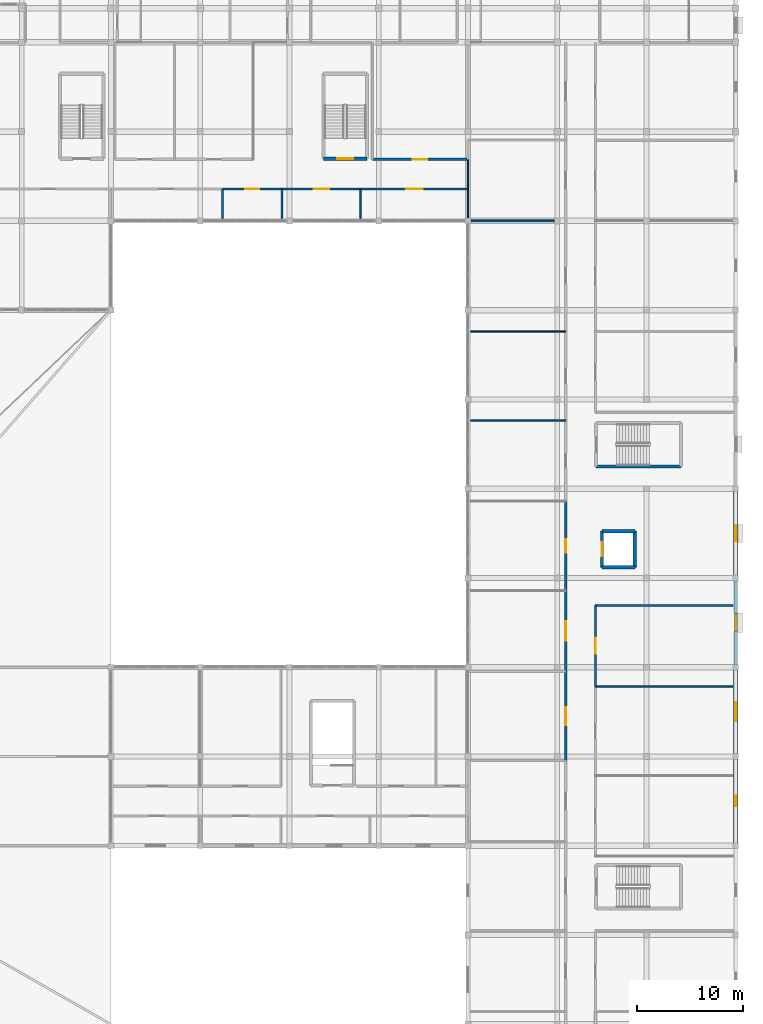
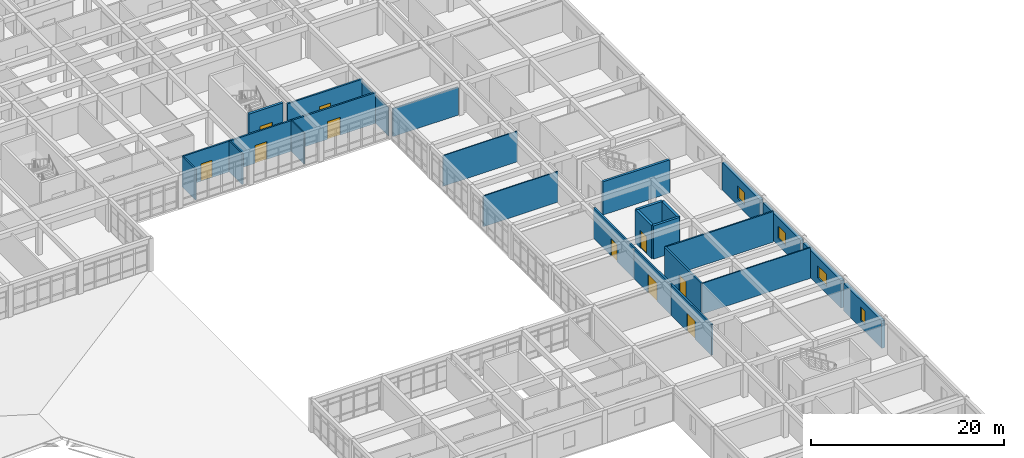
# One storey, part 56 of 77: 28 walls, 10 doors, 4 windows, 14 openings.
"""IFC4 building model written with IfcOpenShell, lengths in metres."""

from ifc_helpers import new_model, si_unit, direction, frame, frame_2d, origin, place, context, subcontext, project, spatial, rectangle, extrude, material, layer, layer_set, type_object, element, fill, save


model = new_model("IFC4")

# Units and contexts
model_context = context("Model", 3, precision=1e-05, world=origin(), true_north=direction((0.0, 1.0)))
body_context = subcontext(model_context, "Body", "Model", "MODEL_VIEW")
ifc_project = project(units=[si_unit("LENGTHUNIT", "METRE"), si_unit("AREAUNIT", "SQUARE_METRE"), si_unit("VOLUMEUNIT", "CUBIC_METRE"), si_unit("PLANEANGLEUNIT", "RADIAN"), si_unit("MASSUNIT", "GRAM", prefix="KILO")], contexts=[model_context])

# Site, building, storey
site_placement = place(None, origin())
site = spatial("IfcSite", under=ifc_project, at=site_placement, CompositionType="ELEMENT")
building_placement = place(site_placement, origin())
building = spatial("IfcBuilding", under=site, at=building_placement, Name="Varncliffe General Hospital", CompositionType="ELEMENT")
storey_placement = place(building_placement, frame((0.0, 0.0, 16.199951171875)))
storey = spatial("IfcBuildingStorey", under=building, at=storey_placement, Name="L03", CompositionType="ELEMENT", Elevation=16.199951171875)

# Wall, opening, window
ifc_material_1 = material(Name="Precast concrete C40/50 with insulated cream lime-cement stucco", Category="concrete")
ifc_layer_1 = layer(ifc_material_1, 0.3798828125)
ifc_layer_set_1 = layer_set([ifc_layer_1], Name="Precast concrete C40/50 with insulated cream lime-cement stucco")
wall_type_1 = type_object("IfcWallType", Name="Exterior Insulated Stucco Wall EW26 (380mm)", PredefinedType="SOLIDWALL", material=ifc_layer_set_1)
wall_1_placement = place(storey_placement, frame((176.39990234375, 57.326904296875, 0.0), z_axis=(0.0, 0.0, 1.0), x_axis=(0.0, -1.0, 0.0)))
wall_1 = element("IfcWall", 1, at=wall_1_placement, inside=storey, type_object=wall_type_1, Name="L03 Exterior Stucco Wall EW26-268", PredefinedType="SOLIDWALL", context=body_context, shape_type="SweptSolid", body=[
    extrude(rectangle(XDim=7.85400390625, YDim=0.3798828125, at=frame_2d((3.927001953125, 0.0))), origin(), (0.0, 0.0, 1.0), 3.47998046875),
])
opening_1_placement = place(wall_1_placement, frame((3.177001953125, 0.0, 0.89990234375)))
opening_1 = element("IfcOpeningElement", 2, at=opening_1_placement, cuts=wall_1, Name="Opening WN75", PredefinedType="OPENING", context=body_context, shape_type="SweptSolid", body=[
    extrude(rectangle(XDim=1.5, YDim=1.550048828125, at=frame_2d((0.75, 0.77490234375))), frame((0.0, 0.199951171875, 0.0), z_axis=(0.0, -1.0, 0.0), x_axis=(1.0, 0.0, 0.0)), (0.0, 0.0, 1.0), 0.39990234375),
])
ifc_material_2 = material(Name="Triple low-E argon insulated vision glazing", Category="glass")
window_type_1 = type_object("IfcWindowType", Name="Triple-Glazed Hospital Window WN75 (1500x1550)", PartitioningType="SINGLE_PANEL", PredefinedType="WINDOW", material=ifc_material_2)
window_1_placement = place(opening_1_placement, origin())
window_1 = element("IfcWindow", 3, at=window_1_placement, inside=storey, type_object=window_type_1, Name="L03 Hospital Window WN75-188", OverallHeight=1.550048828125, OverallWidth=1.5, PartitioningType="SINGLE_PANEL", PredefinedType="WINDOW", context=body_context, shape_type="SweptSolid", body=[
    extrude(rectangle(XDim=1.5, YDim=1.550048828125, at=frame_2d((0.75, 0.77490234375))), frame((0.0, 0.030029296875, 0.0), z_axis=(0.0, -1.0, 0.0), x_axis=(1.0, 0.0, 0.0)), (0.0, 0.0, 1.0), 0.06005859375),
])
fill(opening_1, window_1)

wall_2_placement = place(storey_placement, frame((176.39990234375, 32.126953125, 0.0), z_axis=(0.0, 0.0, 1.0), x_axis=(0.0, -1.0, 0.0)))
wall_2 = element("IfcWall", 4, at=wall_2_placement, inside=storey, type_object=wall_type_1, Name="L03 Exterior Stucco Wall EW26-271", PredefinedType="SOLIDWALL", context=body_context, shape_type="SweptSolid", body=[
    extrude(rectangle(XDim=7.85400390625, YDim=0.3798828125, at=frame_2d((3.927001953125, 0.0))), origin(), (0.0, 0.0, 1.0), 3.47998046875),
])
opening_2_placement = place(wall_2_placement, frame((3.427001953125, 0.0, 0.89990234375)))
opening_2 = element("IfcOpeningElement", 5, at=opening_2_placement, cuts=wall_2, Name="Opening WN53", PredefinedType="OPENING", context=body_context, shape_type="SweptSolid", body=[
    extrude(rectangle(XDim=1.0, YDim=1.75, at=frame_2d((0.5, 0.875))), frame((0.0, 0.199951171875, 0.0), z_axis=(0.0, -1.0, 0.0), x_axis=(1.0, 0.0, 0.0)), (0.0, 0.0, 1.0), 0.39990234375),
])
window_type_2 = type_object("IfcWindowType", Name="Triple-Glazed Hospital Window WN53 (1000x1750)", PartitioningType="SINGLE_PANEL", PredefinedType="WINDOW", material=ifc_material_2)
window_2_placement = place(opening_2_placement, origin())
window_2 = element("IfcWindow", 6, at=window_2_placement, inside=storey, type_object=window_type_2, Name="L03 Hospital Window WN53-191", OverallHeight=1.75, OverallWidth=1.0, PartitioningType="SINGLE_PANEL", PredefinedType="WINDOW", context=body_context, shape_type="SweptSolid", body=[
    extrude(rectangle(XDim=1.0, YDim=1.75, at=frame_2d((0.5, 0.875))), frame((0.0, 0.030029296875, 0.0), z_axis=(0.0, -1.0, 0.0), x_axis=(1.0, 0.0, 0.0)), (0.0, 0.0, 1.0), 0.06005859375),
])
fill(opening_2, window_2)

ifc_layer_2 = layer(ifc_material_1, 0.35009765625)
ifc_layer_set_2 = layer_set([ifc_layer_2], Name="Precast concrete C40/50 with insulated cream lime-cement stucco")
wall_type_2 = type_object("IfcWallType", Name="Exterior Insulated Stucco Wall EW37 (350mm)", PredefinedType="SOLIDWALL", material=ifc_layer_set_2)
wall_3_placement = place(storey_placement, frame((176.39990234375, 48.927001953125, 0.0), z_axis=(0.0, 0.0, 1.0), x_axis=(0.0, -1.0, 0.0)))
wall_3 = element("IfcWall", 7, at=wall_3_placement, inside=storey, type_object=wall_type_2, Name="L03 Exterior Stucco Wall EW37-269", PredefinedType="SOLIDWALL", context=body_context, shape_type="SweptSolid", body=[
    extrude(rectangle(XDim=7.85400390625, YDim=0.35009765625, at=frame_2d((3.927001953125, 0.0))), origin(), (0.0, 0.0, 1.0), 3.47998046875),
])
opening_3_placement = place(wall_3_placement, frame((3.10205078125, 0.0, 0.89990234375)))
opening_3 = element("IfcOpeningElement", 8, at=opening_3_placement, cuts=wall_3, Name="Opening WN20", PredefinedType="OPENING", context=body_context, shape_type="SweptSolid", body=[
    extrude(rectangle(XDim=1.64990234375, YDim=1.550048828125, at=frame_2d((0.824951171875, 0.77490234375))), frame((0.0, 0.18505859375, 0.0), z_axis=(0.0, -1.0, 0.0), x_axis=(1.0, 0.0, 0.0)), (0.0, 0.0, 1.0), 0.3701171875),
])
window_type_3 = type_object("IfcWindowType", Name="Triple-Glazed Hospital Window WN20 (1650x1550)", PartitioningType="DOUBLE_PANEL_VERTICAL", PredefinedType="WINDOW", material=ifc_material_2)
window_3_placement = place(opening_3_placement, origin())
window_3 = element("IfcWindow", 9, at=window_3_placement, inside=storey, type_object=window_type_3, Name="L03 Hospital Window WN20-189", OverallHeight=1.550048828125, OverallWidth=1.64990234375, PartitioningType="DOUBLE_PANEL_VERTICAL", PredefinedType="WINDOW", context=body_context, shape_type="SweptSolid", body=[
    extrude(rectangle(XDim=1.64990234375, YDim=1.550048828125, at=frame_2d((0.824951171875, 0.77490234375))), frame((0.0, 0.030029296875, 0.0), z_axis=(0.0, -1.0, 0.0), x_axis=(1.0, 0.0, 0.0)), (0.0, 0.0, 1.0), 0.06005859375),
])
fill(opening_3, window_3)

ifc_layer_3 = layer(ifc_material_1, 0.39990234375)
ifc_layer_set_3 = layer_set([ifc_layer_3], Name="Precast concrete C40/50 with insulated cream lime-cement stucco")
wall_type_3 = type_object("IfcWallType", Name="Exterior Insulated Stucco Wall EW47 (400mm)", PredefinedType="SOLIDWALL", material=ifc_layer_set_3)
wall_4_placement = place(storey_placement, frame((176.39990234375, 40.527099609375, 0.0), z_axis=(0.0, 0.0, 1.0), x_axis=(0.0, -1.0, 0.0)))
wall_4 = element("IfcWall", 10, at=wall_4_placement, inside=storey, type_object=wall_type_3, Name="L03 Exterior Stucco Wall EW47-270", PredefinedType="SOLIDWALL", context=body_context, shape_type="SweptSolid", body=[
    extrude(rectangle(XDim=7.85400390625, YDim=0.39990234375, at=frame_2d((3.927001953125, 0.0))), origin(), (0.0, 0.0, 1.0), 3.47998046875),
])
opening_4_placement = place(wall_4_placement, frame((3.027099609375, 0.0, 0.89990234375)))
opening_4 = element("IfcOpeningElement", 11, at=opening_4_placement, cuts=wall_4, Name="Opening WN52", PredefinedType="OPENING", context=body_context, shape_type="SweptSolid", body=[
    extrude(rectangle(XDim=1.800048828125, YDim=1.550048828125, at=frame_2d((0.89990234375, 0.77490234375))), frame((0.0, 0.2099609375, 0.0), z_axis=(0.0, -1.0, 0.0), x_axis=(1.0, 0.0, 0.0)), (0.0, 0.0, 1.0), 0.419921875),
])
window_type_4 = type_object("IfcWindowType", Name="Triple-Glazed Hospital Window WN52 (1800x1550)", PartitioningType="DOUBLE_PANEL_VERTICAL", PredefinedType="WINDOW", material=ifc_material_2)
window_4_placement = place(opening_4_placement, origin())
window_4 = element("IfcWindow", 12, at=window_4_placement, inside=storey, type_object=window_type_4, Name="L03 Hospital Window WN52-190", OverallHeight=1.550048828125, OverallWidth=1.800048828125, PartitioningType="DOUBLE_PANEL_VERTICAL", PredefinedType="WINDOW", context=body_context, shape_type="SweptSolid", body=[
    extrude(rectangle(XDim=1.800048828125, YDim=1.550048828125, at=frame_2d((0.89990234375, 0.77490234375))), frame((0.0, 0.030029296875, 0.0), z_axis=(0.0, -1.0, 0.0), x_axis=(1.0, 0.0, 0.0)), (0.0, 0.0, 1.0), 0.06005859375),
])
fill(opening_4, window_4)

# Walls
ifc_material_3 = material(Name="Acoustic clinical gypsum stud partition assembly", Category="gypsum")
ifc_layer_4 = layer(ifc_material_3, 0.1298828125)
ifc_layer_set_4 = layer_set([ifc_layer_4], Name="Acoustic clinical gypsum stud partition assembly")
wall_type_4 = type_object("IfcWallType", Name="Interior Partitioning IW11 (130mm)", PredefinedType="PARTITIONING", material=ifc_layer_set_4)
wall_5_placement = place(storey_placement, frame((163.199951171875, 39.0, 0.0), z_axis=(0.0, 0.0, 1.0), x_axis=(1.0, 0.0, 0.0)))
element("IfcWall", 13, at=wall_5_placement, inside=storey, type_object=wall_type_4, Name="L03 Interior Partition Wall IW11-1338", PredefinedType="PARTITIONING", context=body_context, shape_type="SweptSolid", body=[
    extrude(rectangle(XDim=12.93994140625, YDim=0.1298828125, at=frame_2d((6.469970703125, 0.0))), origin(), (0.0, 0.0, 1.0), 3.89013671875),
])
wall_6_placement = place(storey_placement, frame((151.4599609375, 64.0, 0.0), z_axis=(0.0, 0.0, 1.0), x_axis=(1.0, 0.0, 0.0)))
element("IfcWall", 14, at=wall_6_placement, inside=storey, type_object=wall_type_4, Name="L03 Interior Partition Wall IW11-1348", PredefinedType="PARTITIONING", context=body_context, shape_type="SweptSolid", body=[
    extrude(rectangle(XDim=8.93994140625, YDim=0.1298828125, at=frame_2d((4.469970703125, 0.0))), origin(), (0.0, 0.0, 1.0), 3.89013671875),
])
wall_7_placement = place(storey_placement, frame((141.10009765625, 83.06005859375, 0.0), z_axis=(0.0, 0.0, 1.0), x_axis=(0.0, 1.0, 0.0)))
element("IfcWall", 15, at=wall_7_placement, inside=storey, type_object=wall_type_4, Name="L03 Interior Partition Wall IW11-1623", PredefinedType="PARTITIONING", context=body_context, shape_type="SweptSolid", body=[
    extrude(rectangle(XDim=2.739990234375, YDim=0.1298828125, at=frame_2d((1.3701171875, 0.0))), origin(), (0.0, 0.0, 1.0), 3.89013671875),
])
wall_8_placement = place(storey_placement, frame((151.199951171875, 85.800048828125, 0.0), z_axis=(0.0, 0.0, 1.0), x_axis=(0.0, 1.0, 0.0)))
element("IfcWall", 16, at=wall_8_placement, inside=storey, type_object=wall_type_4, Name="L03 Interior Partition Wall IW11-1638", PredefinedType="PARTITIONING", context=body_context, shape_type="SweptSolid", body=[
    extrude(rectangle(XDim=2.800048828125, YDim=0.1298828125, at=frame_2d((1.39990234375, 0.0))), origin(), (0.0, 0.0, 1.0), 3.5849609375),
])
ifc_layer_5 = layer(ifc_material_3, 0.169921875)
ifc_layer_set_5 = layer_set([ifc_layer_5], Name="Acoustic clinical gypsum stud partition assembly")
wall_type_5 = type_object("IfcWallType", Name="Interior Partitioning IW20 (170mm)", PredefinedType="PARTITIONING", material=ifc_layer_set_5)
wall_9_placement = place(storey_placement, frame((163.199951171875, 46.60009765625, 0.0), z_axis=(0.0, 0.0, 1.0), x_axis=(1.0, 0.0, 0.0)))
element("IfcWall", 17, at=wall_9_placement, inside=storey, type_object=wall_type_5, Name="L03 Interior Partition Wall IW20-1340", PredefinedType="PARTITIONING", context=body_context, shape_type="SweptSolid", body=[
    extrude(rectangle(XDim=12.93994140625, YDim=0.169921875, at=frame_2d((6.469970703125, 0.0))), origin(), (0.0, 0.0, 1.0), 3.89013671875),
])
wall_10_placement = place(storey_placement, frame((151.489990234375, 82.800048828125, 0.0), z_axis=(0.0, 0.0, 1.0), x_axis=(1.0, 0.0, 0.0)))
element("IfcWall", 18, at=wall_10_placement, inside=storey, type_object=wall_type_5, Name="L03 Interior Partition Wall IW20-1360", PredefinedType="PARTITIONING", context=body_context, shape_type="SweptSolid", body=[
    extrude(rectangle(XDim=7.820068359375, YDim=0.169921875, at=frame_2d((3.91015625, 0.0))), origin(), (0.0, 0.0, 1.0), 3.53515625),
])
wall_11_placement = place(storey_placement, frame((133.699951171875, 83.06005859375, 0.0), z_axis=(0.0, 0.0, 1.0), x_axis=(0.0, 1.0, 0.0)))
element("IfcWall", 19, at=wall_11_placement, inside=storey, type_object=wall_type_5, Name="L03 Interior Partition Wall IW20-1615", PredefinedType="PARTITIONING", context=body_context, shape_type="SweptSolid", body=[
    extrude(rectangle(XDim=2.739990234375, YDim=0.169921875, at=frame_2d((1.3701171875, 0.0))), origin(), (0.0, 0.0, 1.0), 3.89013671875),
])
ifc_layer_6 = layer(ifc_material_3, 0.14990234375)
ifc_layer_set_6 = layer_set([ifc_layer_6], Name="Acoustic clinical gypsum stud partition assembly")
wall_type_6 = type_object("IfcWallType", Name="Interior Partitioning IW35 (150mm)", PredefinedType="PARTITIONING", material=ifc_layer_set_6)
wall_12_placement = place(storey_placement, frame((128.10009765625, 83.06005859375, 0.0), z_axis=(0.0, 0.0, 1.0), x_axis=(0.0, 1.0, 0.0)))
element("IfcWall", 20, at=wall_12_placement, inside=storey, type_object=wall_type_6, Name="L03 Interior Partition Wall IW35-1609", PredefinedType="PARTITIONING", context=body_context, shape_type="SweptSolid", body=[
    extrude(rectangle(XDim=2.739990234375, YDim=0.14990234375, at=frame_2d((1.3701171875, 0.0))), origin(), (0.0, 0.0, 1.0), 3.89013671875),
])
ifc_layer_7 = layer(ifc_material_3, 0.110107421875)
ifc_layer_set_7 = layer_set([ifc_layer_7], Name="Acoustic clinical gypsum stud partition assembly")
wall_type_7 = type_object("IfcWallType", Name="Interior Partitioning IW65 (110mm)", PredefinedType="PARTITIONING", material=ifc_layer_set_7)
wall_13_placement = place(storey_placement, frame((151.4599609375, 72.39990234375, 0.0), z_axis=(0.0, 0.0, 1.0), x_axis=(1.0, 0.0, 0.0)))
element("IfcWall", 21, at=wall_13_placement, inside=storey, type_object=wall_type_7, Name="L03 Interior Partition Wall IW65-1352", PredefinedType="PARTITIONING", context=body_context, shape_type="SweptSolid", body=[
    extrude(rectangle(XDim=8.93994140625, YDim=0.110107421875, at=frame_2d((4.469970703125, 0.0))), origin(), (0.0, 0.0, 1.0), 3.89013671875),
])
wall_14_placement = place(storey_placement, frame((151.199951171875, 83.090087890625, 0.0), z_axis=(0.0, 0.0, 1.0), x_axis=(0.0, 1.0, 0.0)))
element("IfcWall", 22, at=wall_14_placement, inside=storey, type_object=wall_type_7, Name="L03 Interior Partition Wall IW65-1637", PredefinedType="PARTITIONING", context=body_context, shape_type="SweptSolid", body=[
    extrude(rectangle(XDim=2.7099609375, YDim=0.110107421875, at=frame_2d((1.35498046875, 0.0))), origin(), (0.0, 0.0, 1.0), 3.5849609375),
])

# Wall, opening, door
ifc_material_4 = material(Name="Fire-rated gypsum and mineral-wool partition assembly", Category="gypsum")
ifc_layer_8 = layer(ifc_material_4, 0.199951171875)
ifc_layer_set_8 = layer_set([ifc_layer_8], Name="Fire-rated gypsum and mineral-wool partition assembly")
wall_type_8 = type_object("IfcWallType", Name="Interior Partitioning PW63 (200mm)", PredefinedType="PARTITIONING", material=ifc_layer_set_8)
wall_15_placement = place(storey_placement, frame((128.10009765625, 85.800048828125, 0.0), z_axis=(0.0, 0.0, 1.0), x_axis=(1.0, 0.0, 0.0)))
wall_15 = element("IfcWall", 23, at=wall_15_placement, inside=storey, type_object=wall_type_8, Name="L03 Interior Partition Wall PW63-1376", PredefinedType="PARTITIONING", context=body_context, shape_type="SweptSolid", body=[
    extrude(rectangle(XDim=5.599853515625, YDim=0.199951171875, at=frame_2d((2.7998046875, 0.0))), origin(), (0.0, 0.0, 1.0), 3.89013671875),
])
opening_5_placement = place(wall_15_placement, frame((2.125, 0.0, 0.0)))
opening_5 = element("IfcOpeningElement", 24, at=opening_5_placement, cuts=wall_15, Name="Opening DC85", PredefinedType="OPENING", context=body_context, shape_type="SweptSolid", body=[
    extrude(rectangle(XDim=1.35009765625, YDim=2.199951171875, at=frame_2d((0.675048828125, 1.10009765625))), frame((0.0, 0.10986328125, 0.0), z_axis=(0.0, -1.0, 0.0), x_axis=(1.0, 0.0, 0.0)), (0.0, 0.0, 1.0), 0.219970703125),
])
ifc_material_5 = material(Name="Fire-rated hospital steel-frame vision-panel door", Category="steel")
door_type_1 = type_object("IfcDoorType", Name="Interior Hospital Door DC85 (1350x2200)", OperationType="NOTDEFINED", PredefinedType="DOOR", material=ifc_material_5)
door_1_placement = place(opening_5_placement, frame((1.35009765625, 0.0, 0.0), z_axis=(0.0, 0.0, 1.0), x_axis=(-1.0, 0.0, 0.0)))
door_1 = element("IfcDoor", 25, at=door_1_placement, inside=storey, type_object=door_type_1, Name="L03 Surgical Scrub and Sterile Core Room 65 Door", OperationType="SINGLE_SWING_RIGHT", OverallHeight=2.199951171875, OverallWidth=1.35009765625, PredefinedType="DOOR", context=body_context, shape_type="SweptSolid", body=[
    extrude(rectangle(XDim=1.35009765625, YDim=2.199951171875, at=frame_2d((0.675048828125, 1.10009765625))), frame((0.0, 0.02490234375, 0.0), z_axis=(0.0, -1.0, 0.0), x_axis=(1.0, 0.0, 0.0)), (0.0, 0.0, 1.0), 0.050048828125),
])
fill(opening_5, door_1)

wall_16_placement = place(storey_placement, frame((133.699951171875, 85.800048828125, 0.0), z_axis=(0.0, 0.0, 1.0), x_axis=(1.0, 0.0, 0.0)))
wall_16 = element("IfcWall", 26, at=wall_16_placement, inside=storey, type_object=wall_type_8, Name="L03 Interior Partition Wall PW63-1377", PredefinedType="PARTITIONING", context=body_context, shape_type="SweptSolid", body=[
    extrude(rectangle(XDim=7.400146484375, YDim=0.199951171875, at=frame_2d((3.7001953125, 0.0))), origin(), (0.0, 0.0, 1.0), 3.89013671875),
])
opening_6_placement = place(wall_16_placement, frame((2.97509765625, 0.0, 0.0)))
opening_6 = element("IfcOpeningElement", 27, at=opening_6_placement, cuts=wall_16, Name="Opening DC66", PredefinedType="OPENING", context=body_context, shape_type="SweptSolid", body=[
    extrude(rectangle(XDim=1.449951171875, YDim=2.25, at=frame_2d((0.72509765625, 1.125))), frame((0.0, 0.10986328125, 0.0), z_axis=(0.0, -1.0, 0.0), x_axis=(1.0, 0.0, 0.0)), (0.0, 0.0, 1.0), 0.219970703125),
])
door_type_2 = type_object("IfcDoorType", Name="Interior Hospital Door DC66 (1450x2250)", OperationType="NOTDEFINED", PredefinedType="DOOR", material=ifc_material_5)
door_2_placement = place(opening_6_placement, frame((1.449951171875, 0.0, 0.0), z_axis=(0.0, 0.0, 1.0), x_axis=(-1.0, 0.0, 0.0)))
door_2 = element("IfcDoor", 28, at=door_2_placement, inside=storey, type_object=door_type_2, Name="L03 Endoscopy Procedure Suite 66 Door", OperationType="SINGLE_SWING_LEFT", OverallHeight=2.25, OverallWidth=1.449951171875, PredefinedType="DOOR", context=body_context, shape_type="SweptSolid", body=[
    extrude(rectangle(XDim=1.449951171875, YDim=2.25, at=frame_2d((0.72509765625, 1.125))), frame((0.0, 0.02490234375, 0.0), z_axis=(0.0, -1.0, 0.0), x_axis=(1.0, 0.0, 0.0)), (0.0, 0.0, 1.0), 0.050048828125),
])
fill(opening_6, door_2)

wall_17_placement = place(storey_placement, frame((141.10009765625, 85.800048828125, 0.0), z_axis=(0.0, 0.0, 1.0), x_axis=(1.0, 0.0, 0.0)))
wall_17 = element("IfcWall", 29, at=wall_17_placement, inside=storey, type_object=wall_type_8, Name="L03 Interior Partition Wall PW63-1378", PredefinedType="PARTITIONING", context=body_context, shape_type="SweptSolid", body=[
    extrude(rectangle(XDim=10.099853515625, YDim=0.199951171875, at=frame_2d((5.0498046875, 0.0))), origin(), (0.0, 0.0, 1.0), 3.89013671875),
])
opening_7_placement = place(wall_17_placement, frame((4.27490234375, 0.0, 0.0)))
opening_7 = element("IfcOpeningElement", 30, at=opening_7_placement, cuts=wall_17, Name="Opening DC67", PredefinedType="OPENING", context=body_context, shape_type="SweptSolid", body=[
    extrude(rectangle(XDim=1.550048828125, YDim=2.25, at=frame_2d((0.77490234375, 1.125))), frame((0.0, 0.10986328125, 0.0), z_axis=(0.0, -1.0, 0.0), x_axis=(1.0, 0.0, 0.0)), (0.0, 0.0, 1.0), 0.219970703125),
])
door_type_3 = type_object("IfcDoorType", Name="Interior Hospital Door DC67 (1550x2250)", OperationType="NOTDEFINED", PredefinedType="DOOR", material=ifc_material_5)
door_3_placement = place(opening_7_placement, frame((1.550048828125, 0.0, 0.0), z_axis=(0.0, 0.0, 1.0), x_axis=(-1.0, 0.0, 0.0)))
door_3 = element("IfcDoor", 31, at=door_3_placement, inside=storey, type_object=door_type_3, Name="L03 Hybrid Interventional Operating Theatre 67 Door", OperationType="SINGLE_SWING_RIGHT", OverallHeight=2.25, OverallWidth=1.550048828125, PredefinedType="DOOR", context=body_context, shape_type="SweptSolid", body=[
    extrude(rectangle(XDim=1.550048828125, YDim=2.25, at=frame_2d((0.77490234375, 1.125))), frame((0.0, 0.02490234375, 0.0), z_axis=(0.0, -1.0, 0.0), x_axis=(1.0, 0.0, 0.0)), (0.0, 0.0, 1.0), 0.050048828125),
])
fill(opening_7, door_3)

wall_18_placement = place(storey_placement, frame((142.199951171875, 88.60009765625, 0.0), z_axis=(0.0, 0.0, 1.0), x_axis=(1.0, 0.0, 0.0)))
wall_18 = element("IfcWall", 32, at=wall_18_placement, inside=storey, type_object=wall_type_8, Name="L03 Interior Partition Wall PW63-1392", PredefinedType="PARTITIONING", context=body_context, shape_type="SweptSolid", body=[
    extrude(rectangle(XDim=9.0, YDim=0.199951171875, at=frame_2d((4.5, 0.0))), origin(), (0.0, 0.0, 1.0), 3.89013671875),
])
opening_8_placement = place(wall_18_placement, frame((3.824951171875, 0.0, 0.0)))
opening_8 = element("IfcOpeningElement", 33, at=opening_8_placement, cuts=wall_18, Name="Opening DC85", PredefinedType="OPENING", context=body_context, shape_type="SweptSolid", body=[
    extrude(rectangle(XDim=1.35009765625, YDim=2.199951171875, at=frame_2d((0.675048828125, 1.10009765625))), frame((0.0, 0.10986328125, 0.0), z_axis=(0.0, -1.0, 0.0), x_axis=(1.0, 0.0, 0.0)), (0.0, 0.0, 1.0), 0.219970703125),
])
door_4_placement = place(opening_8_placement, origin())
door_4 = element("IfcDoor", 34, at=door_4_placement, inside=storey, type_object=door_type_1, Name="L03 Endoscopy Procedure Suite 74 Door", OperationType="SINGLE_SWING_RIGHT", OverallHeight=2.199951171875, OverallWidth=1.35009765625, PredefinedType="DOOR", context=body_context, shape_type="SweptSolid", body=[
    extrude(rectangle(XDim=1.35009765625, YDim=2.199951171875, at=frame_2d((0.675048828125, 1.10009765625))), frame((0.0, 0.02490234375, 0.0), z_axis=(0.0, -1.0, 0.0), x_axis=(1.0, 0.0, 0.0)), (0.0, 0.0, 1.0), 0.050048828125),
])
fill(opening_8, door_4)

wall_19_placement = place(storey_placement, frame((160.39990234375, 32.0, 0.0), z_axis=(0.0, 0.0, 1.0), x_axis=(0.0, 1.0, 0.0)))
wall_19 = element("IfcWall", 35, at=wall_19_placement, inside=storey, type_object=wall_type_8, Name="L03 Interior Partition Wall PW63-1652", PredefinedType="PARTITIONING", context=body_context, shape_type="SweptSolid", body=[
    extrude(rectangle(XDim=8.39990234375, YDim=0.199951171875, at=frame_2d((4.199951171875, 0.0))), origin(), (0.0, 0.0, 1.0), 3.89013671875),
])
opening_9_placement = place(wall_19_placement, frame((3.35009765625, 0.0, 0.0)))
opening_9 = element("IfcOpeningElement", 36, at=opening_9_placement, cuts=wall_19, Name="Opening DC50", PredefinedType="OPENING", context=body_context, shape_type="SweptSolid", body=[
    extrude(rectangle(XDim=1.699951171875, YDim=2.300048828125, at=frame_2d((0.85009765625, 1.14990234375))), frame((0.0, 0.10986328125, 0.0), z_axis=(0.0, -1.0, 0.0), x_axis=(1.0, 0.0, 0.0)), (0.0, 0.0, 1.0), 0.219970703125),
])
door_type_4 = type_object("IfcDoorType", Name="Interior Hospital Door DC50 (1700x2300)", OperationType="NOTDEFINED", PredefinedType="DOOR", material=ifc_material_5)
door_5_placement = place(opening_9_placement, origin())
door_5 = element("IfcDoor", 37, at=door_5_placement, inside=storey, type_object=door_type_4, Name="L03 Oncology Chemotherapy Infusion Suite 79 Door", OperationType="SINGLE_SWING_LEFT", OverallHeight=2.300048828125, OverallWidth=1.699951171875, PredefinedType="DOOR", context=body_context, shape_type="SweptSolid", body=[
    extrude(rectangle(XDim=1.699951171875, YDim=2.300048828125, at=frame_2d((0.85009765625, 1.14990234375))), frame((0.0, 0.02490234375, 0.0), z_axis=(0.0, -1.0, 0.0), x_axis=(1.0, 0.0, 0.0)), (0.0, 0.0, 1.0), 0.050048828125),
])
fill(opening_9, door_5)

wall_20_placement = place(storey_placement, frame((160.39990234375, 40.39990234375, 0.0), z_axis=(0.0, 0.0, 1.0), x_axis=(0.0, 1.0, 0.0)))
wall_20 = element("IfcWall", 38, at=wall_20_placement, inside=storey, type_object=wall_type_8, Name="L03 Interior Partition Wall PW63-1653", PredefinedType="PARTITIONING", context=body_context, shape_type="SweptSolid", body=[
    extrude(rectangle(XDim=7.60009765625, YDim=0.199951171875, at=frame_2d((3.800048828125, 0.0))), origin(), (0.0, 0.0, 1.0), 3.89013671875),
])
opening_10_placement = place(wall_20_placement, frame((2.875, 0.0, 0.0)))
opening_10 = element("IfcOpeningElement", 39, at=opening_10_placement, cuts=wall_20, Name="Opening DC38", PredefinedType="OPENING", context=body_context, shape_type="SweptSolid", body=[
    extrude(rectangle(XDim=1.85009765625, YDim=2.300048828125, at=frame_2d((0.925048828125, 1.14990234375))), frame((0.0, 0.10986328125, 0.0), z_axis=(0.0, -1.0, 0.0), x_axis=(1.0, 0.0, 0.0)), (0.0, 0.0, 1.0), 0.219970703125),
])
door_type_5 = type_object("IfcDoorType", Name="Interior Hospital Door DC38 (1850x2300)", OperationType="NOTDEFINED", PredefinedType="DOOR", material=ifc_material_5)
door_6_placement = place(opening_10_placement, origin())
door_6 = element("IfcDoor", 40, at=door_6_placement, inside=storey, type_object=door_type_5, Name="L03 Renal Dialysis Treatment Bay 80 Door", OperationType="SINGLE_SWING_RIGHT", OverallHeight=2.300048828125, OverallWidth=1.85009765625, PredefinedType="DOOR", context=body_context, shape_type="SweptSolid", body=[
    extrude(rectangle(XDim=1.85009765625, YDim=2.300048828125, at=frame_2d((0.925048828125, 1.14990234375))), frame((0.0, 0.02490234375, 0.0), z_axis=(0.0, -1.0, 0.0), x_axis=(1.0, 0.0, 0.0)), (0.0, 0.0, 1.0), 0.050048828125),
])
fill(opening_10, door_6)

wall_21_placement = place(storey_placement, frame((160.39990234375, 48.0, 0.0), z_axis=(0.0, 0.0, 1.0), x_axis=(0.0, 1.0, 0.0)))
wall_21 = element("IfcWall", 41, at=wall_21_placement, inside=storey, type_object=wall_type_8, Name="L03 Interior Partition Wall PW63-1654", PredefinedType="PARTITIONING", context=body_context, shape_type="SweptSolid", body=[
    extrude(rectangle(XDim=8.39990234375, YDim=0.199951171875, at=frame_2d((4.199951171875, 0.0))), origin(), (0.0, 0.0, 1.0), 3.89013671875),
])
opening_11_placement = place(wall_21_placement, frame((3.574951171875, 0.0, 0.0)))
opening_11 = element("IfcOpeningElement", 42, at=opening_11_placement, cuts=wall_21, Name="Opening DC44", PredefinedType="OPENING", context=body_context, shape_type="SweptSolid", body=[
    extrude(rectangle(XDim=1.25, YDim=2.14990234375, at=frame_2d((0.625, 1.074951171875))), frame((0.0, 0.10986328125, 0.0), z_axis=(0.0, -1.0, 0.0), x_axis=(1.0, 0.0, 0.0)), (0.0, 0.0, 1.0), 0.219970703125),
])
door_type_6 = type_object("IfcDoorType", Name="Interior Hospital Door DC44 (1250x2150)", OperationType="NOTDEFINED", PredefinedType="DOOR", material=ifc_material_5)
door_7_placement = place(opening_11_placement, origin())
door_7 = element("IfcDoor", 43, at=door_7_placement, inside=storey, type_object=door_type_6, Name="L03 Oncology Chemotherapy Infusion Suite 81 Door", OperationType="SINGLE_SWING_LEFT", OverallHeight=2.14990234375, OverallWidth=1.25, PredefinedType="DOOR", context=body_context, shape_type="SweptSolid", body=[
    extrude(rectangle(XDim=1.25, YDim=2.14990234375, at=frame_2d((0.625, 1.074951171875))), frame((0.0, 0.02490234375, 0.0), z_axis=(0.0, -1.0, 0.0), x_axis=(1.0, 0.0, 0.0)), (0.0, 0.0, 1.0), 0.050048828125),
])
fill(opening_11, door_7)

wall_22_placement = place(storey_placement, frame((163.199951171875, 39.0, 0.0), z_axis=(0.0, 0.0, 1.0), x_axis=(0.0, 1.0, 0.0)))
wall_22 = element("IfcWall", 44, at=wall_22_placement, inside=storey, type_object=wall_type_8, Name="L03 Interior Partition Wall PW63-1664", PredefinedType="PARTITIONING", context=body_context, shape_type="SweptSolid", body=[
    extrude(rectangle(XDim=7.60009765625, YDim=0.199951171875, at=frame_2d((3.800048828125, 0.0))), origin(), (0.0, 0.0, 1.0), 3.89013671875),
])
opening_12_placement = place(wall_22_placement, frame((3.074951171875, 0.0, 0.0)))
opening_12 = element("IfcOpeningElement", 45, at=opening_12_placement, cuts=wall_22, Name="Opening DC66", PredefinedType="OPENING", context=body_context, shape_type="SweptSolid", body=[
    extrude(rectangle(XDim=1.449951171875, YDim=2.25, at=frame_2d((0.72509765625, 1.125))), frame((0.0, 0.10986328125, 0.0), z_axis=(0.0, -1.0, 0.0), x_axis=(1.0, 0.0, 0.0)), (0.0, 0.0, 1.0), 0.219970703125),
])
door_8_placement = place(opening_12_placement, frame((1.449951171875, 0.0, 0.0), z_axis=(0.0, 0.0, 1.0), x_axis=(-1.0, 0.0, 0.0)))
door_8 = element("IfcDoor", 46, at=door_8_placement, inside=storey, type_object=door_type_2, Name="L03 Renal Dialysis Treatment Bay 89 Door", OperationType="SINGLE_SWING_LEFT", OverallHeight=2.25, OverallWidth=1.449951171875, PredefinedType="DOOR", context=body_context, shape_type="SweptSolid", body=[
    extrude(rectangle(XDim=1.449951171875, YDim=2.25, at=frame_2d((0.72509765625, 1.125))), frame((0.0, 0.02490234375, 0.0), z_axis=(0.0, -1.0, 0.0), x_axis=(1.0, 0.0, 0.0)), (0.0, 0.0, 1.0), 0.050048828125),
])
fill(opening_12, door_8)

ifc_material_6 = material(Name="Concrete C40/50 (CSA A23.1 40 MPa)", Category="concrete")
ifc_layer_9 = layer(ifc_material_6, 0.300048828125)
ifc_layer_set_9 = layer_set([ifc_layer_9], Name="Concrete C40/50 (CSA A23.1 40 MPa)")
wall_type_9 = type_object("IfcWallType", Name="Reinforced Concrete Core Shear Wall CW12 (300mm)", PredefinedType="SHEAR", material=ifc_layer_set_9)
wall_23_placement = place(storey_placement, frame((137.60009765625, 88.64990234375, 0.0), z_axis=(0.0, 0.0, 1.0), x_axis=(1.0, 0.0, 0.0)))
wall_23 = element("IfcWall", 47, at=wall_23_placement, inside=storey, type_object=wall_type_9, Name="L03 ST14 Core Shear Wall N", PredefinedType="SHEAR", context=body_context, shape_type="SweptSolid", body=[
    extrude(rectangle(XDim=4.099853515625, YDim=0.300048828125, at=frame_2d((2.0498046875, 0.0))), origin(), (0.0, 0.0, 1.0), 4.199951171875),
])
opening_13_placement = place(wall_23_placement, frame((1.300048828125, 0.0, 0.0)))
opening_13 = element("IfcOpeningElement", 48, at=opening_13_placement, cuts=wall_23, Name="Opening DF28", PredefinedType="OPENING", context=body_context, shape_type="SweptSolid", body=[
    extrude(rectangle(XDim=1.5, YDim=2.199951171875, at=frame_2d((0.75, 1.10009765625))), frame((0.0, 0.16015625, 0.0), z_axis=(0.0, -1.0, 0.0), x_axis=(1.0, 0.0, 0.0)), (0.0, 0.0, 1.0), 0.320068359375),
])
door_type_7 = type_object("IfcDoorType", Name="Interior Hospital Door DF28 (1500x2200)", OperationType="NOTDEFINED", PredefinedType="DOOR", material=ifc_material_5)
door_9_placement = place(opening_13_placement, frame((1.5, 0.0, 0.0), z_axis=(0.0, 0.0, 1.0), x_axis=(-1.0, 0.0, 0.0)))
door_9 = element("IfcDoor", 49, at=door_9_placement, inside=storey, type_object=door_type_7, Name="L03 ST14 Protected Exit Stair Door", OperationType="SINGLE_SWING_RIGHT", OverallHeight=2.199951171875, OverallWidth=1.5, PredefinedType="DOOR", context=body_context, shape_type="SweptSolid", body=[
    extrude(rectangle(XDim=1.5, YDim=2.199951171875, at=frame_2d((0.75, 1.10009765625))), frame((0.0, 0.02490234375, 0.0), z_axis=(0.0, -1.0, 0.0), x_axis=(1.0, 0.0, 0.0)), (0.0, 0.0, 1.0), 0.050048828125),
])
fill(opening_13, door_9)

# Walls
wall_24_placement = place(storey_placement, frame((163.800048828125, 50.199951171875, 0.0), z_axis=(0.0, 0.0, 1.0), x_axis=(1.0, 0.0, 0.0)))
element("IfcWall", 50, at=wall_24_placement, inside=storey, type_object=wall_type_9, Name="L03 LF08 Elevator Shaft Wall South", PredefinedType="SHEAR", context=body_context, shape_type="SweptSolid", body=[
    extrude(rectangle(XDim=3.099853515625, YDim=0.300048828125, at=frame_2d((1.5498046875, 0.0))), origin(), (0.0, 0.0, 1.0), 4.199951171875),
])
wall_25_placement = place(storey_placement, frame((166.89990234375, 50.199951171875, 0.0), z_axis=(0.0, 0.0, 1.0), x_axis=(0.0, 1.0, 0.0)))
element("IfcWall", 51, at=wall_25_placement, inside=storey, type_object=wall_type_9, Name="L03 LF08 Elevator Shaft Wall East", PredefinedType="SHEAR", context=body_context, shape_type="SweptSolid", body=[
    extrude(rectangle(XDim=3.400146484375, YDim=0.300048828125, at=frame_2d((1.7001953125, 0.0))), origin(), (0.0, 0.0, 1.0), 4.199951171875),
])
wall_26_placement = place(storey_placement, frame((166.89990234375, 53.60009765625, 0.0), z_axis=(0.0, 0.0, 1.0), x_axis=(-1.0, 0.0, 0.0)))
element("IfcWall", 52, at=wall_26_placement, inside=storey, type_object=wall_type_9, Name="L03 LF08 Elevator Shaft Wall North", PredefinedType="SHEAR", context=body_context, shape_type="SweptSolid", body=[
    extrude(rectangle(XDim=3.099853515625, YDim=0.300048828125, at=frame_2d((1.5498046875, 0.0))), origin(), (0.0, 0.0, 1.0), 4.199951171875),
])

# Wall, opening, door
wall_27_placement = place(storey_placement, frame((163.800048828125, 53.60009765625, 0.0), z_axis=(0.0, 0.0, 1.0), x_axis=(0.0, -1.0, 0.0)))
wall_27 = element("IfcWall", 53, at=wall_27_placement, inside=storey, type_object=wall_type_9, Name="L03 LF08 Elevator Shaft Wall West", PredefinedType="SHEAR", context=body_context, shape_type="SweptSolid", body=[
    extrude(rectangle(XDim=3.400146484375, YDim=0.300048828125, at=frame_2d((1.7001953125, 0.0))), origin(), (0.0, 0.0, 1.0), 4.199951171875),
])
opening_14_placement = place(wall_27_placement, frame((1.050048828125, 0.0, 0.0)))
opening_14 = element("IfcOpeningElement", 54, at=opening_14_placement, cuts=wall_27, Name="Opening LD02", PredefinedType="OPENING", context=body_context, shape_type="SweptSolid", body=[
    extrude(rectangle(XDim=1.300048828125, YDim=2.199951171875, at=frame_2d((0.64990234375, 1.10009765625))), frame((0.0, 0.16015625, 0.0), z_axis=(0.0, -1.0, 0.0), x_axis=(1.0, 0.0, 0.0)), (0.0, 0.0, 1.0), 0.320068359375),
])
ifc_material_7 = material(Name="Brushed stainless-steel sliding elevator landing door", Category="steel")
door_type_8 = type_object("IfcDoorType", Name="Lift Landing Door LD02 (1300x2200)", OperationType="DOUBLE_DOOR_SLIDING", PredefinedType="DOOR", material=ifc_material_7)
door_10_placement = place(opening_14_placement, origin())
door_10 = element("IfcDoor", 55, at=door_10_placement, inside=storey, type_object=door_type_8, Name="Lift Landing Door LF08 L03", OperationType="DOUBLE_DOOR_SLIDING", OverallHeight=2.199951171875, OverallWidth=1.300048828125, PredefinedType="DOOR", context=body_context, shape_type="SweptSolid", body=[
    extrude(rectangle(XDim=1.300048828125, YDim=2.199951171875, at=frame_2d((0.64990234375, 1.10009765625))), frame((0.0, 0.02490234375, 0.0), z_axis=(0.0, -1.0, 0.0), x_axis=(1.0, 0.0, 0.0)), (0.0, 0.0, 1.0), 0.050048828125),
])
fill(opening_14, door_10)

# Wall
ifc_layer_10 = layer(ifc_material_6, 0.280029296875)
ifc_layer_set_10 = layer_set([ifc_layer_10], Name="Concrete C40/50 (CSA A23.1 40 MPa)")
wall_type_10 = type_object("IfcWallType", Name="Reinforced Concrete Core Shear Wall CW13 (280mm)", PredefinedType="SHEAR", material=ifc_layer_set_10)
wall_28_placement = place(storey_placement, frame((163.260009765625, 59.7099609375, 0.0), z_axis=(0.0, 0.0, 1.0), x_axis=(1.0, 0.0, 0.0)))
element("IfcWall", 56, at=wall_28_placement, inside=storey, type_object=wall_type_10, Name="L03 ST07 Core Shear Wall L", PredefinedType="SHEAR", context=body_context, shape_type="SweptSolid", body=[
    extrude(rectangle(XDim=7.97998046875, YDim=0.280029296875, at=frame_2d((3.989990234375, 0.0))), origin(), (0.0, 0.0, 1.0), 4.199951171875),
])

save(model, "model.ifc")
